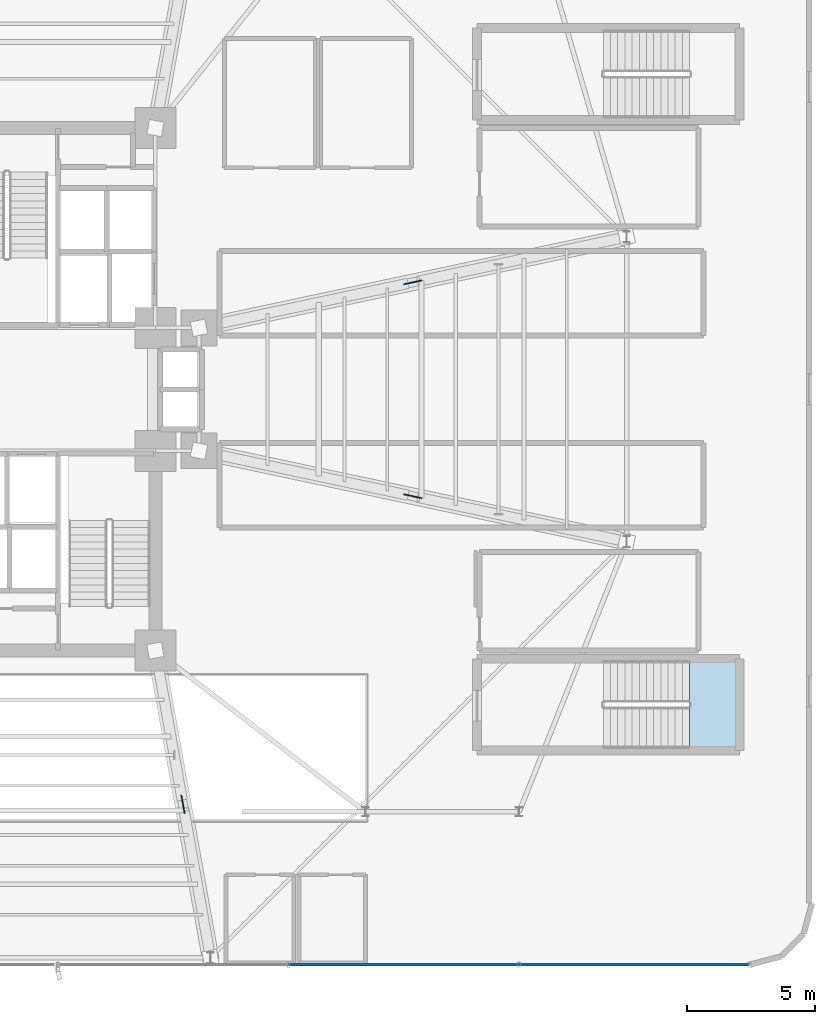
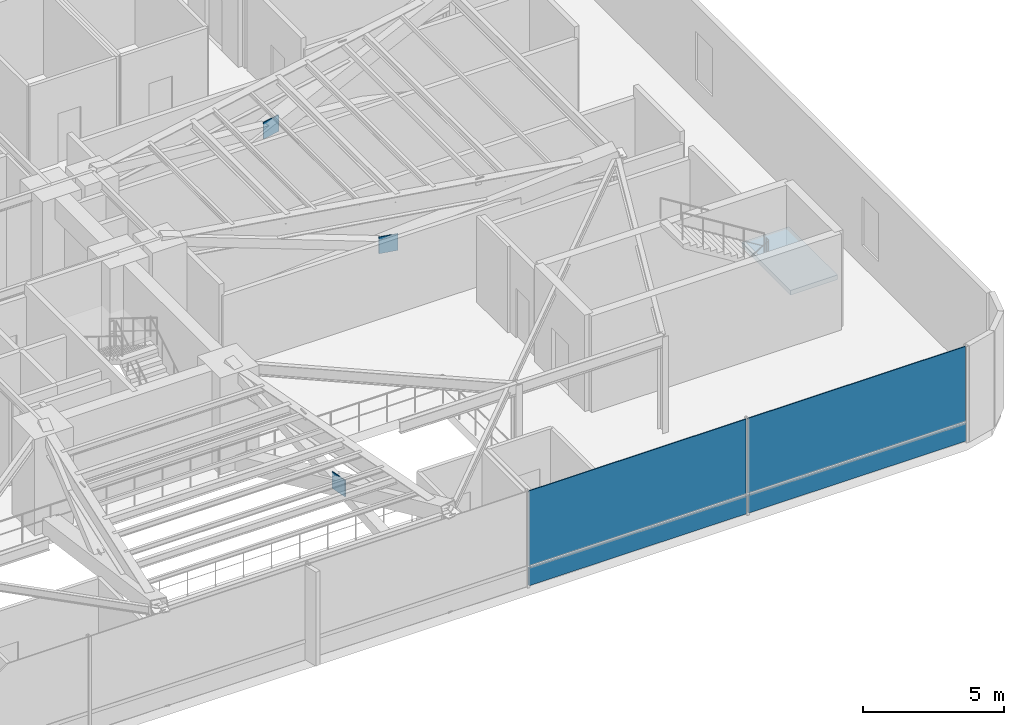
# One storey, part 20 of 32: 7 plates, 1 slab, 2 elements without a shape of their own.
"""IFC4 building model written with IfcOpenShell, lengths in metres."""

from ifc_helpers import new_model, si_unit, direction, frame, origin, origin_2d, place, context, subcontext, project, spatial, polyline, rectangle, outline, extrude, source, transform, mapped, material, layer, layer_set, type_object, element, aggregate, save


model = new_model("IFC4")

# Units and contexts
model_context = context("Model", 3, precision=1e-05, world=origin(), true_north=direction((0.0, 1.0)))
body_context = subcontext(model_context, "Body", "Model", "MODEL_VIEW")
ifc_project = project(units=[si_unit("LENGTHUNIT", "METRE"), si_unit("AREAUNIT", "SQUARE_METRE"), si_unit("VOLUMEUNIT", "CUBIC_METRE"), si_unit("PLANEANGLEUNIT", "RADIAN"), si_unit("MASSUNIT", "GRAM", prefix="KILO")], contexts=[model_context])

# Site, building, storey
site_placement = place(None, origin())
site = spatial("IfcSite", under=ifc_project, at=site_placement, CompositionType="ELEMENT")
building_placement = place(site_placement, origin())
building = spatial("IfcBuilding", under=site, at=building_placement, Name="Sahyath Konkavel Grand Hotel", CompositionType="ELEMENT")
storey_placement = place(building_placement, frame((0.0, 0.0, 14.10009765625)))
storey = spatial("IfcBuildingStorey", under=building, at=storey_placement, Name="L03", CompositionType="ELEMENT", Elevation=14.10009765625)

# Stair, slab
ifc_material_1 = material(Name="Concrete C40/50", Category="concrete")
stair_type = type_object("IfcStairType", Name="STR-ST16-450", PredefinedType="HALF_TURN_STAIR", material=ifc_material_1)
stair_placement = place(storey_placement, origin())
stair = element("IfcStair", 1, at=stair_placement, inside=storey, type_object=stair_type, Name="L03 Podium Protected Exit Stair ST-P4", PredefinedType="HALF_TURN_STAIR")
ifc_layer_1 = layer(ifc_material_1, 0.199951171875)
ifc_layer_set_1 = layer_set([ifc_layer_1], Name="Concrete C40/50")
slab_type = type_object("IfcSlabType", Name="SLB-STAIR-LND", PredefinedType="LANDING", material=ifc_layer_set_1)
slab_placement = place(storey_placement, frame((0.0, 0.0, 2.0498046875)))
slab = element("IfcSlab", 2, at=slab_placement, type_object=slab_type, Name="ST-P4 landing 1", PredefinedType="LANDING", context=body_context, shape_type="SweptSolid", body=[
    extrude(outline(polyline([(24.64990234375, -14.0400390625), (26.580078125, -14.0400390625), (26.580078125, -10.580078125), (24.64990234375, -10.580078125), (24.64990234375, -14.0400390625)])), origin(), (0.0, 0.0, 1.0), 0.2001953125),
])
aggregate(stair, [slab])

# Plates
ifc_material_2 = material(Name="Steel E450", Category="steel")
plate_type_1 = type_object("IfcPlateType", Name="GUSSET-NODE-40", PredefinedType="USERDEFINED", material=ifc_material_2)
shared_shape_1 = source(origin(), body_context, "Body", "SweptSolid", [
    extrude(rectangle(XDim=0.719970703125, YDim=0.0400390625, at=origin_2d()), origin(), (0.0, 0.0, 1.0), 0.719970703125),
])
for number, where, z_axis, x_axis, name in (
    (3, (13.85009765625, -4.175048828125, 1.72998046875), (0.0, 0.0, 1.0), (0.978143971841, -0.207928762682, 0.0), "L03 Ballroom Steel Transfer Truss EA X-Crossing Node Gusset Plate"),
    (4, (13.85009765625, 4.175048828125, 1.72998046875), (0.0, 0.0, 1.0), (0.978143971841, 0.207928762682, 0.0), "L03 Ballroom Steel Transfer Truss EB X-Crossing Node Gusset Plate"),
    (5, (4.875, -16.199951171875, 1.72998046875), (0.0, 0.0, 1.0), (0.176363239745, -0.984325153426, 0.0), "L03 Ballroom Steel Transfer Truss SB X-Crossing Node Gusset Plate"),
):
    element("IfcPlate", number, at=place(storey_placement, frame(where, z_axis=z_axis, x_axis=x_axis)), inside=storey, type_object=plate_type_1, Name=name, ObjectType="GUSSET_PLATE", PredefinedType="USERDEFINED", context=body_context, shape_type="MappedRepresentation", body=[
        mapped(shared_shape_1, transform((0.0, 0.0, 0.0), scale=1.0)),
    ])

# Curtain wall, plates
ifc_material_3 = material(Name="Anodised Bronze Aluminium & Low-E Glazing", Category="aluminium")
curtain_wall_type = type_object("IfcCurtainWallType", Name="CW-PODIUM", PredefinedType="NOTDEFINED", material=ifc_material_3)
curtain_wall_placement = place(storey_placement, origin())
curtain_wall = element("IfcCurtainWall", 6, at=curtain_wall_placement, inside=storey, type_object=curtain_wall_type, Name="L03 Unitised Curtain Wall S", PredefinedType="NOTDEFINED")
ifc_material_4 = material(Name="Warm Buff Sandstone Cladding", Category="masonry")
ifc_layer_2 = layer(ifc_material_4, 0.074951171875)
ifc_layer_set_2 = layer_set([ifc_layer_2], Name="Warm Buff Sandstone Cladding")
plate_type_2 = type_object("IfcPlateType", Name="PNL-SPANDREL-STONE", PredefinedType="SHEET", material=ifc_layer_set_2)
shared_shape_2 = source(origin(), body_context, "Body", "SweptSolid", [
    extrude(rectangle(XDim=8.918701171875, YDim=0.074951171875, at=origin_2d()), origin(), (0.0, 0.0, 1.0), 0.77001953125),
])
plate_1_placement = place(storey_placement, frame((13.498046875, -22.465087890625, 0.039794921875), z_axis=(0.0, 0.0, 1.0), x_axis=(1.0, 0.0, 0.0)))
plate_1 = element("IfcPlate", 7, at=plate_1_placement, type_object=plate_type_2, Name="L03 Sandstone Relief Spandrel Panel S-4", PredefinedType="SHEET", context=body_context, shape_type="MappedRepresentation", body=[
    mapped(shared_shape_2, transform((0.0, 0.0, 0.0), scale=1.0)),
])
plate_2_placement = place(storey_placement, frame((22.49658203125, -22.465087890625, 0.039794921875), z_axis=(0.0, 0.0, 1.0), x_axis=(1.0, 0.0, 0.0)))
plate_2 = element("IfcPlate", 8, at=plate_2_placement, type_object=plate_type_2, Name="L03 Sandstone Relief Spandrel Panel S-5", PredefinedType="SHEET", context=body_context, shape_type="MappedRepresentation", body=[
    mapped(shared_shape_2, transform((0.0, 0.0, 0.0), scale=1.0)),
])
ifc_material_5 = material(Name="Low-E Solar Control Double Glazing", Category="glass")
ifc_layer_3 = layer(ifc_material_5, 0.035888671875)
ifc_layer_set_3 = layer_set([ifc_layer_3], Name="Low-E Solar Control Double Glazing")
plate_type_3 = type_object("IfcPlateType", Name="PNL-VISION-LOWE", PredefinedType="CURTAIN_PANEL", material=ifc_layer_set_3)
shared_shape_3 = source(origin(), body_context, "Body", "SweptSolid", [
    extrude(rectangle(XDim=8.918701171875, YDim=0.035888671875, at=origin_2d()), origin(), (0.0, 0.0, 1.0), 3.25),
])
plate_3_placement = place(storey_placement, frame((13.498046875, -22.465087890625, 0.889892578125), z_axis=(0.0, 0.0, 1.0), x_axis=(1.0, 0.0, 0.0)))
plate_3 = element("IfcPlate", 9, at=plate_3_placement, type_object=plate_type_3, Name="L03 Low-E Vision Glazing Panel S-4", PredefinedType="CURTAIN_PANEL", context=body_context, shape_type="MappedRepresentation", body=[
    mapped(shared_shape_3, transform((0.0, 0.0, 0.0), scale=1.0)),
])
plate_4_placement = place(storey_placement, frame((22.49658203125, -22.465087890625, 0.889892578125), z_axis=(0.0, 0.0, 1.0), x_axis=(1.0, 0.0, 0.0)))
plate_4 = element("IfcPlate", 10, at=plate_4_placement, type_object=plate_type_3, Name="L03 Low-E Vision Glazing Panel S-5", PredefinedType="CURTAIN_PANEL", context=body_context, shape_type="MappedRepresentation", body=[
    mapped(shared_shape_3, transform((0.0, 0.0, 0.0), scale=1.0)),
])
aggregate(curtain_wall, [plate_1, plate_3, plate_2, plate_4])

save(model, "model.ifc")
